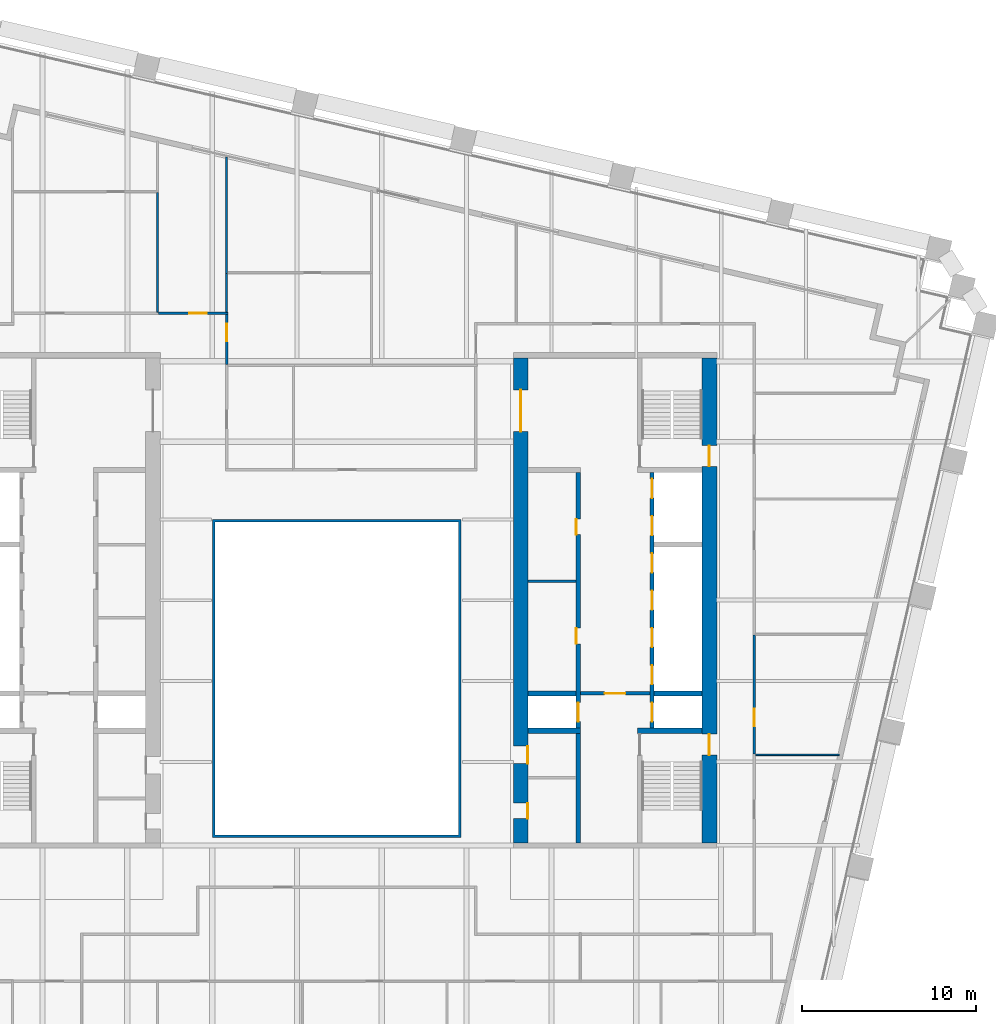
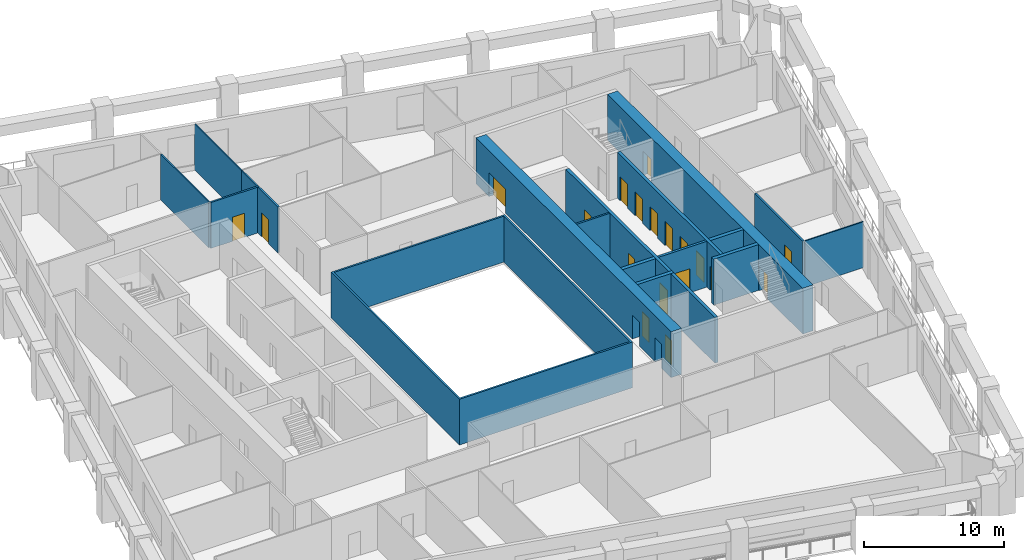
# One storey, part 6 of 10: 19 doors, 18 walls, 19 openings.
"""IFC4 building model written with IfcOpenShell, lengths in metres."""

from ifc_helpers import new_model, si_unit, direction, frame, frame_2d, origin, place, context, subcontext, project, spatial, polyline, rectangle, outline, extrude, material, layer, layer_set, type_object, element, fill, save


model = new_model("IFC4")

# Units and contexts
model_context = context("Model", 3, precision=1e-05, world=origin(), true_north=direction((0.0, 1.0)))
body_context = subcontext(model_context, "Body", "Model", "MODEL_VIEW")
ifc_project = project(units=[si_unit("LENGTHUNIT", "METRE"), si_unit("AREAUNIT", "SQUARE_METRE"), si_unit("VOLUMEUNIT", "CUBIC_METRE"), si_unit("PLANEANGLEUNIT", "RADIAN"), si_unit("MASSUNIT", "GRAM", prefix="KILO")], contexts=[model_context])

# Site, building, storey
site_placement = place(None, origin())
site = spatial("IfcSite", under=ifc_project, at=site_placement, CompositionType="ELEMENT")
building_placement = place(site_placement, origin())
building = spatial("IfcBuilding", under=site, at=building_placement, Name="Ogive Exchange Tower", CompositionType="ELEMENT")
storey_placement = place(building_placement, frame((0.0, 0.0, 114.0)))
storey = spatial("IfcBuildingStorey", under=building, at=storey_placement, Name="L24", CompositionType="ELEMENT", Elevation=114.0)

# Wall
ifc_material_1 = material(Name="Gypsum board partition")
ifc_layer_1 = layer(ifc_material_1, 0.14990234375)
ifc_layer_set_1 = layer_set([ifc_layer_1], Name="Core room partition 150 gypsum")
wall_type_1 = type_object("IfcWallType", Name="Core room partition 150 gypsum", PredefinedType="PARTITIONING", material=ifc_layer_set_1)
wall_1_placement = place(storey_placement, frame((11.0, 12.60009765625, 0.0), z_axis=(0.0, 0.0, 1.0), x_axis=(1.0, 0.0, 0.0)))
element("IfcWall", 1, at=wall_1_placement, inside=storey, type_object=wall_type_1, Name="E row B bay partition 1-1", PredefinedType="PARTITIONING", context=body_context, shape_type="SweptSolid", body=[
    extrude(rectangle(XDim=2.75, YDim=0.14990234375, at=frame_2d((1.375, 0.0))), origin(), (0.0, 0.0, 1.0), 4.0),
])

# Wall, opening, door
ifc_material_2 = material(Name="Fire partition EI 60 150")
ifc_layer_2 = layer(ifc_material_2, 0.14990234375)
ifc_layer_set_2 = layer_set([ifc_layer_2], Name="Fire partition EI 60 150")
wall_type_2 = type_object("IfcWallType", Name="Fire partition EI 60 150", PredefinedType="PARTITIONING", material=ifc_layer_set_2)
wall_2_placement = place(storey_placement, frame((-10.27001953125, 28.0, 0.0), z_axis=(0.0, 0.0, 1.0), x_axis=(1.0, 0.0, 0.0)))
wall_2 = element("IfcWall", 2, at=wall_2_placement, inside=storey, type_object=wall_type_2, Name="L24-PWL-028", PredefinedType="PARTITIONING", context=body_context, shape_type="SweptSolid", body=[
    extrude(rectangle(XDim=4.005126953125, YDim=0.14990234375, at=frame_2d((2.00244140625, 0.0))), origin(), (0.0, 0.0, 1.0), 4.0),
])
opening_1_placement = place(wall_2_placement, frame((1.780029296875, 0.0, 0.0)))
opening_1 = element("IfcOpeningElement", 3, at=opening_1_placement, cuts=wall_2, Name="Opening L24-I11", PredefinedType="OPENING", context=body_context, shape_type="SweptSolid", body=[
    extrude(rectangle(XDim=1.0, YDim=2.10009765625, at=frame_2d((0.5, 1.050048828125))), frame((0.0, 0.0849609375, 0.0), z_axis=(0.0, -1.0, 0.0), x_axis=(1.0, 0.0, 0.0)), (0.0, 0.0, 1.0), 0.169921875),
])
ifc_material_3 = material(Name="Fire door FD 30S 1000 x 2100")
door_type_1 = type_object("IfcDoorType", Name="Fire door FD 30S 1000 x 2100", OperationType="NOTDEFINED", PredefinedType="DOOR", material=ifc_material_3)
door_1_placement = place(opening_1_placement, origin())
door_1 = element("IfcDoor", 4, at=door_1_placement, inside=storey, type_object=door_type_1, Name="L24-IDR-011", ObjectType="DT3", OperationType="SINGLE_SWING_LEFT", OverallHeight=2.10009765625, OverallWidth=1.0, PredefinedType="DOOR", context=body_context, shape_type="SweptSolid", body=[
    extrude(rectangle(XDim=1.0, YDim=2.10009765625, at=frame_2d((0.5, 1.050048828125))), frame((0.0, 0.02490234375, 0.0), z_axis=(0.0, -1.0, 0.0), x_axis=(1.0, 0.0, 0.0)), (0.0, 0.0, 1.0), 0.050048828125),
])
fill(opening_1, door_1)

wall_3_placement = place(storey_placement, frame((-6.340087890625, 27.925048828125, 0.0), z_axis=(0.0, 0.0, 1.0), x_axis=(0.0, -1.0, 0.0)))
wall_3 = element("IfcWall", 5, at=wall_3_placement, inside=storey, type_object=wall_type_2, Name="L24-PWL-035", PredefinedType="PARTITIONING", context=body_context, shape_type="SweptSolid", body=[
    extrude(rectangle(XDim=2.875, YDim=0.14990234375, at=frame_2d((1.4375, 0.0))), origin(), (0.0, 0.0, 1.0), 4.0),
])
opening_2_placement = place(wall_3_placement, frame((0.52490234375, 0.0, 0.0)))
opening_2 = element("IfcOpeningElement", 6, at=opening_2_placement, cuts=wall_3, Name="Opening L24-I08", PredefinedType="OPENING", context=body_context, shape_type="SweptSolid", body=[
    extrude(rectangle(XDim=1.0, YDim=2.10009765625, at=frame_2d((0.5, 1.050048828125))), frame((0.0, 0.0849609375, 0.0), z_axis=(0.0, -1.0, 0.0), x_axis=(1.0, 0.0, 0.0)), (0.0, 0.0, 1.0), 0.169921875),
])
door_2_placement = place(opening_2_placement, origin())
door_2 = element("IfcDoor", 7, at=door_2_placement, inside=storey, type_object=door_type_1, Name="L24-IDR-008", ObjectType="DT3", OperationType="SINGLE_SWING_LEFT", OverallHeight=2.10009765625, OverallWidth=1.0, PredefinedType="DOOR", context=body_context, shape_type="SweptSolid", body=[
    extrude(rectangle(XDim=1.0, YDim=2.10009765625, at=frame_2d((0.5, 1.050048828125))), frame((0.0, 0.02490234375, 0.0), z_axis=(0.0, -1.0, 0.0), x_axis=(1.0, 0.0, 0.0)), (0.0, 0.0, 1.0), 0.050048828125),
])
fill(opening_2, door_2)

wall_4_placement = place(storey_placement, frame((24.0, 9.5, 0.0), z_axis=(0.0, 0.0, 1.0), x_axis=(0.0, -1.0, 0.0)))
wall_4 = element("IfcWall", 8, at=wall_4_placement, inside=storey, type_object=wall_type_2, Name="L24-PWL-066", PredefinedType="PARTITIONING", context=body_context, shape_type="SweptSolid", body=[
    extrude(rectangle(XDim=6.840087890625, YDim=0.14990234375, at=frame_2d((3.419921875, 0.0))), origin(), (0.0, 0.0, 1.0), 4.0),
])
opening_3_placement = place(wall_4_placement, frame((4.239990234375, 0.0, 0.0)))
opening_3 = element("IfcOpeningElement", 9, at=opening_3_placement, cuts=wall_4, Name="Opening L24-I15", PredefinedType="OPENING", context=body_context, shape_type="SweptSolid", body=[
    extrude(rectangle(XDim=1.0, YDim=2.10009765625, at=frame_2d((0.5, 1.050048828125))), frame((0.0, 0.0849609375, 0.0), z_axis=(0.0, -1.0, 0.0), x_axis=(1.0, 0.0, 0.0)), (0.0, 0.0, 1.0), 0.169921875),
])
door_3_placement = place(opening_3_placement, origin())
door_3 = element("IfcDoor", 10, at=door_3_placement, inside=storey, type_object=door_type_1, Name="L24-IDR-015", ObjectType="DT3", OperationType="SINGLE_SWING_LEFT", OverallHeight=2.10009765625, OverallWidth=1.0, PredefinedType="DOOR", context=body_context, shape_type="SweptSolid", body=[
    extrude(rectangle(XDim=1.0, YDim=2.10009765625, at=frame_2d((0.5, 1.050048828125))), frame((0.0, 0.02490234375, 0.0), z_axis=(0.0, -1.0, 0.0), x_axis=(1.0, 0.0, 0.0)), (0.0, 0.0, 1.0), 0.050048828125),
])
fill(opening_3, door_3)

# Walls
ifc_material_4 = material(Name="Fire-resisting glass in steel frame", Category="steel")
ifc_layer_3 = layer(ifc_material_4, 0.14990234375)
ifc_layer_set_3 = layer_set([ifc_layer_3], Name="Fire-rated glazed wall 150")
wall_type_3 = type_object("IfcWallType", Name="Fire-rated glazed wall 150", PredefinedType="STANDARD", material=ifc_layer_set_3)
wall_5_placement = place(storey_placement, origin())
element("IfcWall", 11, at=wall_5_placement, inside=storey, type_object=wall_type_3, Name="Nave enclosure wall", PredefinedType="STANDARD", context=body_context, shape_type="SweptSolid", body=[
    extrude(outline(polyline([(-7.14990234375, -2.14990234375), (7.14990234375, -2.14990234375), (7.14990234375, 16.14990234375), (-7.14990234375, 16.14990234375), (-7.14990234375, -2.14990234375)]), holes=[polyline([(-7.0, -2.0), (-7.0, 16.0), (7.0, 16.0), (7.0, -2.0), (-7.0, -2.0)])]), origin(), (0.0, 0.0, 1.0), 4.0),
])
ifc_material_5 = material(Name="Partition 100 gypsum")
ifc_layer_4 = layer(ifc_material_5, 0.10009765625)
ifc_layer_set_4 = layer_set([ifc_layer_4], Name="Partition 100 gypsum")
wall_type_4 = type_object("IfcWallType", Name="Partition 100 gypsum", PredefinedType="PARTITIONING", material=ifc_layer_set_4)
wall_6_placement = place(storey_placement, frame((-10.320068359375, 28.074951171875, 0.0), z_axis=(0.0, 0.0, 1.0), x_axis=(0.0, 1.0, 0.0)))
element("IfcWall", 12, at=wall_6_placement, inside=storey, type_object=wall_type_4, Name="L24-PWL-027", PredefinedType="PARTITIONING", context=body_context, shape_type="SweptSolid", body=[
    extrude(rectangle(XDim=6.875, YDim=0.10009765625, at=frame_2d((3.4375, 0.0))), origin(), (0.0, 0.0, 1.0), 4.0),
])
wall_7_placement = place(storey_placement, frame((-6.340087890625, 28.074951171875, 0.0), z_axis=(0.0, 0.0, 1.0), x_axis=(0.0, 1.0, 0.0)))
element("IfcWall", 13, at=wall_7_placement, inside=storey, type_object=wall_type_4, Name="L24-PWL-036", PredefinedType="PARTITIONING", context=body_context, shape_type="SweptSolid", body=[
    extrude(rectangle(XDim=2.215087890625, YDim=0.10009765625, at=frame_2d((1.107421875, 0.0))), origin(), (0.0, 0.0, 1.0), 4.0),
])
wall_8_placement = place(storey_placement, frame((-6.340087890625, 30.2900390625, 0.0), z_axis=(0.0, 0.0, 1.0), x_axis=(0.0, 1.0, 0.0)))
element("IfcWall", 14, at=wall_8_placement, inside=storey, type_object=wall_type_4, Name="L24-PWL-037", PredefinedType="PARTITIONING", context=body_context, shape_type="SweptSolid", body=[
    extrude(rectangle(XDim=6.697998046875, YDim=0.10009765625, at=frame_2d((3.34912109375, 0.0))), origin(), (0.0, 0.0, 1.0), 4.0),
])
wall_9_placement = place(storey_placement, frame((28.89599609375, 2.610107421875, 0.0), z_axis=(0.0, 0.0, 1.0), x_axis=(-1.0, 0.0, 0.0)))
element("IfcWall", 15, at=wall_9_placement, inside=storey, type_object=wall_type_4, Name="L24-PWL-077", PredefinedType="PARTITIONING", context=body_context, shape_type="SweptSolid", body=[
    extrude(rectangle(XDim=4.81103515625, YDim=0.10009765625, at=frame_2d((2.405517578125, 0.0))), origin(), (0.0, 0.0, 1.0), 4.0),
])

# Wall, opening, door
ifc_material_6 = material(Name="Concrete C70/85", Category="concrete")
ifc_layer_5 = layer(ifc_material_6, 0.199951171875)
ifc_layer_set_5 = layer_set([ifc_layer_5], Name="RC core wall 200 C70/85")
wall_type_5 = type_object("IfcWallType", Name="RC core wall 200 C70/85", PredefinedType="SHEAR", material=ifc_layer_set_5)
wall_10_placement = place(storey_placement, frame((14.0, 6.142822265625, 0.0), z_axis=(0.0, 0.0, 1.0), x_axis=(1.0, 0.0, 0.0)))
wall_10 = element("IfcWall", 16, at=wall_10_placement, inside=storey, type_object=wall_type_5, Name="E firefighting lobby wall", PredefinedType="SHEAR", context=body_context, shape_type="SweptSolid", body=[
    extrude(rectangle(XDim=4.0, YDim=0.199951171875, at=frame_2d((2.0, 0.0))), origin(), (0.0, 0.0, 1.0), 4.0),
])
opening_4_placement = place(wall_10_placement, frame((1.39990234375, 0.0, 0.0)))
opening_4 = element("IfcOpeningElement", 17, at=opening_4_placement, cuts=wall_10, Name="Opening L24-C30", PredefinedType="OPENING", context=body_context, shape_type="SweptSolid", body=[
    extrude(rectangle(XDim=1.199951171875, YDim=2.10009765625, at=frame_2d((0.60009765625, 1.050048828125))), frame((0.0, 0.10986328125, 0.0), z_axis=(0.0, -1.0, 0.0), x_axis=(1.0, 0.0, 0.0)), (0.0, 0.0, 1.0), 0.219970703125),
])
ifc_material_7 = material(Name="Steel fire door", Category="steel")
door_type_2 = type_object("IfcDoorType", Name="Firefighting lobby door FD60 1200 x 2100", OperationType="NOTDEFINED", PredefinedType="DOOR", material=ifc_material_7)
door_4_placement = place(opening_4_placement, frame((1.199951171875, 0.0, 0.0), z_axis=(0.0, 0.0, 1.0), x_axis=(-1.0, 0.0, 0.0)))
door_4 = element("IfcDoor", 18, at=door_4_placement, inside=storey, type_object=door_type_2, Name="Firefighting lobby door", ObjectType="CD3", OperationType="SINGLE_SWING_RIGHT", OverallHeight=2.10009765625, OverallWidth=1.199951171875, PredefinedType="DOOR", context=body_context, shape_type="SweptSolid", body=[
    extrude(rectangle(XDim=1.199951171875, YDim=2.10009765625, at=frame_2d((0.60009765625, 1.050048828125))), frame((0.0, 0.02490234375, 0.0), z_axis=(0.0, -1.0, 0.0), x_axis=(1.0, 0.0, 0.0)), (0.0, 0.0, 1.0), 0.050048828125),
])
fill(opening_4, door_4)

# Wall, openings, doors
ifc_layer_6 = layer(ifc_material_6, 0.25)
ifc_layer_set_6 = layer_set([ifc_layer_6], Name="RC core wall 250 C70/85")
wall_type_6 = type_object("IfcWallType", Name="RC core wall 250 C70/85", PredefinedType="SHEAR", material=ifc_layer_set_6)
wall_11_placement = place(storey_placement, frame((18.125, 4.14990234375, 0.0), z_axis=(0.0, 0.0, 1.0), x_axis=(0.0, 1.0, 0.0)))
wall_11 = element("IfcWall", 19, at=wall_11_placement, inside=storey, type_object=wall_type_6, Name="E row A front wall", PredefinedType="SHEAR", context=body_context, shape_type="SweptSolid", body=[
    extrude(rectangle(XDim=14.7001953125, YDim=0.25, at=frame_2d((7.35009765625, 0.0))), origin(), (0.0, 0.0, 1.0), 4.0),
])
opening_5_placement = place(wall_11_placement, frame((0.371337890625, 0.0, 0.0)))
opening_5 = element("IfcOpeningElement", 20, at=opening_5_placement, cuts=wall_11, Name="Opening L24-C20", PredefinedType="OPENING", context=body_context, shape_type="SweptSolid", body=[
    extrude(rectangle(XDim=1.10009765625, YDim=2.10009765625, at=frame_2d((0.550048828125, 1.050048828125))), frame((0.0, 0.135009765625, 0.0), z_axis=(0.0, -1.0, 0.0), x_axis=(1.0, 0.0, 0.0)), (0.0, 0.0, 1.0), 0.27001953125),
])
opening_6_placement = place(wall_11_placement, frame((2.514404296875, 0.0, 0.0)))
opening_6 = element("IfcOpeningElement", 21, at=opening_6_placement, cuts=wall_11, Name="Opening L24-C21", PredefinedType="OPENING", context=body_context, shape_type="SweptSolid", body=[
    extrude(rectangle(XDim=1.10009765625, YDim=2.10009765625, at=frame_2d((0.550048828125, 1.050048828125))), frame((0.0, 0.135009765625, 0.0), z_axis=(0.0, -1.0, 0.0), x_axis=(1.0, 0.0, 0.0)), (0.0, 0.0, 1.0), 0.27001953125),
])
opening_7_placement = place(wall_11_placement, frame((4.656982421875, 0.0, 0.0)))
opening_7 = element("IfcOpeningElement", 22, at=opening_7_placement, cuts=wall_11, Name="Opening L24-C22", PredefinedType="OPENING", context=body_context, shape_type="SweptSolid", body=[
    extrude(rectangle(XDim=1.10009765625, YDim=2.10009765625, at=frame_2d((0.550048828125, 1.050048828125))), frame((0.0, 0.135009765625, 0.0), z_axis=(0.0, -1.0, 0.0), x_axis=(1.0, 0.0, 0.0)), (0.0, 0.0, 1.0), 0.27001953125),
])
opening_8_placement = place(wall_11_placement, frame((6.800048828125, 0.0, 0.0)))
opening_8 = element("IfcOpeningElement", 23, at=opening_8_placement, cuts=wall_11, Name="Opening L24-C23", PredefinedType="OPENING", context=body_context, shape_type="SweptSolid", body=[
    extrude(rectangle(XDim=1.10009765625, YDim=2.10009765625, at=frame_2d((0.550048828125, 1.050048828125))), frame((0.0, 0.135009765625, 0.0), z_axis=(0.0, -1.0, 0.0), x_axis=(1.0, 0.0, 0.0)), (0.0, 0.0, 1.0), 0.27001953125),
])
opening_9_placement = place(wall_11_placement, frame((8.94287109375, 0.0, 0.0)))
opening_9 = element("IfcOpeningElement", 24, at=opening_9_placement, cuts=wall_11, Name="Opening L24-C24", PredefinedType="OPENING", context=body_context, shape_type="SweptSolid", body=[
    extrude(rectangle(XDim=1.10009765625, YDim=2.10009765625, at=frame_2d((0.550048828125, 1.050048828125))), frame((0.0, 0.135009765625, 0.0), z_axis=(0.0, -1.0, 0.0), x_axis=(1.0, 0.0, 0.0)), (0.0, 0.0, 1.0), 0.27001953125),
])
opening_10_placement = place(wall_11_placement, frame((11.085693359375, 0.0, 0.0)))
opening_10 = element("IfcOpeningElement", 25, at=opening_10_placement, cuts=wall_11, Name="Opening L24-C25", PredefinedType="OPENING", context=body_context, shape_type="SweptSolid", body=[
    extrude(rectangle(XDim=1.10009765625, YDim=2.10009765625, at=frame_2d((0.550048828125, 1.050048828125))), frame((0.0, 0.135009765625, 0.0), z_axis=(0.0, -1.0, 0.0), x_axis=(1.0, 0.0, 0.0)), (0.0, 0.0, 1.0), 0.27001953125),
])
opening_11_placement = place(wall_11_placement, frame((13.228515625, 0.0, 0.0)))
opening_11 = element("IfcOpeningElement", 26, at=opening_11_placement, cuts=wall_11, Name="Opening L24-C26", PredefinedType="OPENING", context=body_context, shape_type="SweptSolid", body=[
    extrude(rectangle(XDim=1.10009765625, YDim=2.10009765625, at=frame_2d((0.550048828125, 1.050048828125))), frame((0.0, 0.135009765625, 0.0), z_axis=(0.0, -1.0, 0.0), x_axis=(1.0, 0.0, 0.0)), (0.0, 0.0, 1.0), 0.27001953125),
])
ifc_material_8 = material(Name="Stainless steel", Category="steel")
door_type_3 = type_object("IfcDoorType", Name="Lift landing door FD90 1100 x 2100", OperationType="SLIDING_TO_LEFT", PredefinedType="DOOR", material=ifc_material_8)
door_5_placement = place(opening_5_placement, origin())
door_5 = element("IfcDoor", 27, at=door_5_placement, inside=storey, type_object=door_type_3, Name="Lift landing door FF2", ObjectType="LD", OperationType="SLIDING_TO_LEFT", OverallHeight=2.10009765625, OverallWidth=1.10009765625, PredefinedType="DOOR", context=body_context, shape_type="SweptSolid", body=[
    extrude(rectangle(XDim=1.10009765625, YDim=2.10009765625, at=frame_2d((0.550048828125, 1.050048828125))), frame((0.0, 0.02490234375, 0.0), z_axis=(0.0, -1.0, 0.0), x_axis=(1.0, 0.0, 0.0)), (0.0, 0.0, 1.0), 0.050048828125),
])
fill(opening_5, door_5)
door_6_placement = place(opening_6_placement, origin())
door_6 = element("IfcDoor", 28, at=door_6_placement, inside=storey, type_object=door_type_3, Name="Lift landing door E-L1", ObjectType="LD", OperationType="SLIDING_TO_LEFT", OverallHeight=2.10009765625, OverallWidth=1.10009765625, PredefinedType="DOOR", context=body_context, shape_type="SweptSolid", body=[
    extrude(rectangle(XDim=1.10009765625, YDim=2.10009765625, at=frame_2d((0.550048828125, 1.050048828125))), frame((0.0, 0.02490234375, 0.0), z_axis=(0.0, -1.0, 0.0), x_axis=(1.0, 0.0, 0.0)), (0.0, 0.0, 1.0), 0.050048828125),
])
fill(opening_6, door_6)
door_7_placement = place(opening_7_placement, origin())
door_7 = element("IfcDoor", 29, at=door_7_placement, inside=storey, type_object=door_type_3, Name="Lift landing door E-L2", ObjectType="LD", OperationType="SLIDING_TO_LEFT", OverallHeight=2.10009765625, OverallWidth=1.10009765625, PredefinedType="DOOR", context=body_context, shape_type="SweptSolid", body=[
    extrude(rectangle(XDim=1.10009765625, YDim=2.10009765625, at=frame_2d((0.550048828125, 1.050048828125))), frame((0.0, 0.02490234375, 0.0), z_axis=(0.0, -1.0, 0.0), x_axis=(1.0, 0.0, 0.0)), (0.0, 0.0, 1.0), 0.050048828125),
])
fill(opening_7, door_7)
door_8_placement = place(opening_8_placement, origin())
door_8 = element("IfcDoor", 30, at=door_8_placement, inside=storey, type_object=door_type_3, Name="Lift landing door E-L3", ObjectType="LD", OperationType="SLIDING_TO_LEFT", OverallHeight=2.10009765625, OverallWidth=1.10009765625, PredefinedType="DOOR", context=body_context, shape_type="SweptSolid", body=[
    extrude(rectangle(XDim=1.10009765625, YDim=2.10009765625, at=frame_2d((0.550048828125, 1.050048828125))), frame((0.0, 0.02490234375, 0.0), z_axis=(0.0, -1.0, 0.0), x_axis=(1.0, 0.0, 0.0)), (0.0, 0.0, 1.0), 0.050048828125),
])
fill(opening_8, door_8)
door_9_placement = place(opening_9_placement, origin())
door_9 = element("IfcDoor", 31, at=door_9_placement, inside=storey, type_object=door_type_3, Name="Lift landing door E-L4", ObjectType="LD", OperationType="SLIDING_TO_LEFT", OverallHeight=2.10009765625, OverallWidth=1.10009765625, PredefinedType="DOOR", context=body_context, shape_type="SweptSolid", body=[
    extrude(rectangle(XDim=1.10009765625, YDim=2.10009765625, at=frame_2d((0.550048828125, 1.050048828125))), frame((0.0, 0.02490234375, 0.0), z_axis=(0.0, -1.0, 0.0), x_axis=(1.0, 0.0, 0.0)), (0.0, 0.0, 1.0), 0.050048828125),
])
fill(opening_9, door_9)
door_10_placement = place(opening_10_placement, origin())
door_10 = element("IfcDoor", 32, at=door_10_placement, inside=storey, type_object=door_type_3, Name="Lift landing door E-SH1", ObjectType="LD", OperationType="SLIDING_TO_LEFT", OverallHeight=2.10009765625, OverallWidth=1.10009765625, PredefinedType="DOOR", context=body_context, shape_type="SweptSolid", body=[
    extrude(rectangle(XDim=1.10009765625, YDim=2.10009765625, at=frame_2d((0.550048828125, 1.050048828125))), frame((0.0, 0.02490234375, 0.0), z_axis=(0.0, -1.0, 0.0), x_axis=(1.0, 0.0, 0.0)), (0.0, 0.0, 1.0), 0.050048828125),
])
fill(opening_10, door_10)
door_11_placement = place(opening_11_placement, origin())
door_11 = element("IfcDoor", 33, at=door_11_placement, inside=storey, type_object=door_type_3, Name="Lift landing door E-SH2", ObjectType="LD", OperationType="SLIDING_TO_LEFT", OverallHeight=2.10009765625, OverallWidth=1.10009765625, PredefinedType="DOOR", context=body_context, shape_type="SweptSolid", body=[
    extrude(rectangle(XDim=1.10009765625, YDim=2.10009765625, at=frame_2d((0.550048828125, 1.050048828125))), frame((0.0, 0.02490234375, 0.0), z_axis=(0.0, -1.0, 0.0), x_axis=(1.0, 0.0, 0.0)), (0.0, 0.0, 1.0), 0.050048828125),
])
fill(opening_11, door_11)

wall_12_placement = place(storey_placement, frame((13.875, -2.449951171875, 0.0), z_axis=(0.0, 0.0, 1.0), x_axis=(0.0, 1.0, 0.0)))
wall_12 = element("IfcWall", 34, at=wall_12_placement, inside=storey, type_object=wall_type_6, Name="E row B front wall", PredefinedType="SHEAR", context=body_context, shape_type="SweptSolid", body=[
    extrude(rectangle(XDim=21.300048828125, YDim=0.25, at=frame_2d((10.64990234375, 0.0))), origin(), (0.0, 0.0, 1.0), 4.0),
])
opening_12_placement = place(wall_12_placement, frame((11.4462890625, 0.0, 0.0)))
opening_12 = element("IfcOpeningElement", 35, at=opening_12_placement, cuts=wall_12, Name="Opening L24-C27", PredefinedType="OPENING", context=body_context, shape_type="SweptSolid", body=[
    extrude(rectangle(XDim=0.89990234375, YDim=2.10009765625, at=frame_2d((0.449951171875, 1.050048828125))), frame((0.0, 0.135009765625, 0.0), z_axis=(0.0, -1.0, 0.0), x_axis=(1.0, 0.0, 0.0)), (0.0, 0.0, 1.0), 0.27001953125),
])
opening_13_placement = place(wall_12_placement, frame((17.72509765625, 0.0, 0.0)))
opening_13 = element("IfcOpeningElement", 36, at=opening_13_placement, cuts=wall_12, Name="Opening L24-C28", PredefinedType="OPENING", context=body_context, shape_type="SweptSolid", body=[
    extrude(rectangle(XDim=0.89990234375, YDim=2.10009765625, at=frame_2d((0.449951171875, 1.050048828125))), frame((0.0, 0.135009765625, 0.0), z_axis=(0.0, -1.0, 0.0), x_axis=(1.0, 0.0, 0.0)), (0.0, 0.0, 1.0), 0.27001953125),
])
opening_14_placement = place(wall_12_placement, frame((6.971435546875, 0.0, 0.0)))
opening_14 = element("IfcOpeningElement", 37, at=opening_14_placement, cuts=wall_12, Name="Opening L24-C29", PredefinedType="OPENING", context=body_context, shape_type="SweptSolid", body=[
    extrude(rectangle(XDim=1.10009765625, YDim=2.10009765625, at=frame_2d((0.550048828125, 1.050048828125))), frame((0.0, 0.135009765625, 0.0), z_axis=(0.0, -1.0, 0.0), x_axis=(1.0, 0.0, 0.0)), (0.0, 0.0, 1.0), 0.27001953125),
])
door_12_placement = place(opening_14_placement, origin())
door_12 = element("IfcDoor", 38, at=door_12_placement, inside=storey, type_object=door_type_3, Name="Lift landing door SV2", ObjectType="LD", OperationType="SLIDING_TO_LEFT", OverallHeight=2.10009765625, OverallWidth=1.10009765625, PredefinedType="DOOR", context=body_context, shape_type="SweptSolid", body=[
    extrude(rectangle(XDim=1.10009765625, YDim=2.10009765625, at=frame_2d((0.550048828125, 1.050048828125))), frame((0.0, 0.02490234375, 0.0), z_axis=(0.0, -1.0, 0.0), x_axis=(1.0, 0.0, 0.0)), (0.0, 0.0, 1.0), 0.050048828125),
])
fill(opening_14, door_12)
door_type_4 = type_object("IfcDoorType", Name="Riser door FD60 900 x 2100", OperationType="NOTDEFINED", PredefinedType="DOOR", material=ifc_material_7)
door_13_placement = place(opening_12_placement, origin())
door_13 = element("IfcDoor", 39, at=door_13_placement, inside=storey, type_object=door_type_4, Name="Riser door", ObjectType="CD2", OperationType="SINGLE_SWING_LEFT", OverallHeight=2.10009765625, OverallWidth=0.89990234375, PredefinedType="DOOR", context=body_context, shape_type="SweptSolid", body=[
    extrude(rectangle(XDim=0.89990234375, YDim=2.10009765625, at=frame_2d((0.449951171875, 1.050048828125))), frame((0.0, 0.125, 0.0), z_axis=(0.0, -1.0, 0.0), x_axis=(1.0, 0.0, 0.0)), (0.0, 0.0, 1.0), 0.050048828125),
])
fill(opening_12, door_13)
door_14_placement = place(opening_13_placement, origin())
door_14 = element("IfcDoor", 40, at=door_14_placement, inside=storey, type_object=door_type_4, Name="Riser door", ObjectType="CD2", OperationType="SINGLE_SWING_RIGHT", OverallHeight=2.10009765625, OverallWidth=0.89990234375, PredefinedType="DOOR", context=body_context, shape_type="SweptSolid", body=[
    extrude(rectangle(XDim=0.89990234375, YDim=2.10009765625, at=frame_2d((0.449951171875, 1.050048828125))), frame((0.0, 0.125, 0.0), z_axis=(0.0, -1.0, 0.0), x_axis=(1.0, 0.0, 0.0)), (0.0, 0.0, 1.0), 0.050048828125),
])
fill(opening_13, door_14)

# Walls
ifc_layer_7 = layer(ifc_material_6, 0.300048828125)
ifc_layer_set_7 = layer_set([ifc_layer_7], Name="RC core wall 300 C70/85")
wall_type_7 = type_object("IfcWallType", Name="RC core wall 300 C70/85", PredefinedType="SHEAR", material=ifc_layer_set_7)
wall_13_placement = place(storey_placement, frame((17.300048828125, 4.0, 0.0), z_axis=(0.0, 0.0, 1.0), x_axis=(1.0, 0.0, 0.0)))
element("IfcWall", 41, at=wall_13_placement, inside=storey, type_object=wall_type_7, Name="E stair S north wall", PredefinedType="SHEAR", context=body_context, shape_type="SweptSolid", body=[
    extrude(rectangle(XDim=3.699951171875, YDim=0.300048828125, at=frame_2d((1.85009765625, 0.0))), origin(), (0.0, 0.0, 1.0), 4.0),
])
wall_14_placement = place(storey_placement, frame((18.25, 6.142822265625, 0.0), z_axis=(0.0, 0.0, 1.0), x_axis=(1.0, 0.0, 0.0)))
element("IfcWall", 42, at=wall_14_placement, inside=storey, type_object=wall_type_7, Name="E row A divider 1", PredefinedType="SHEAR", context=body_context, shape_type="SweptSolid", body=[
    extrude(rectangle(XDim=2.75, YDim=0.300048828125, at=frame_2d((1.375, 0.0))), origin(), (0.0, 0.0, 1.0), 4.0),
])
wall_15_placement = place(storey_placement, frame((11.0, 4.0, 0.0), z_axis=(0.0, 0.0, 1.0), x_axis=(1.0, 0.0, 0.0)))
element("IfcWall", 43, at=wall_15_placement, inside=storey, type_object=wall_type_7, Name="E row B divider 0", PredefinedType="SHEAR", context=body_context, shape_type="SweptSolid", body=[
    extrude(rectangle(XDim=3.0, YDim=0.300048828125, at=frame_2d((1.5, 0.0))), origin(), (0.0, 0.0, 1.0), 4.0),
])
wall_16_placement = place(storey_placement, frame((11.0, 6.142822265625, 0.0), z_axis=(0.0, 0.0, 1.0), x_axis=(1.0, 0.0, 0.0)))
element("IfcWall", 44, at=wall_16_placement, inside=storey, type_object=wall_type_7, Name="E row B divider 1", PredefinedType="SHEAR", context=body_context, shape_type="SweptSolid", body=[
    extrude(rectangle(XDim=2.75, YDim=0.300048828125, at=frame_2d((1.375, 0.0))), origin(), (0.0, 0.0, 1.0), 4.0),
])

# Wall, openings, doors
ifc_layer_8 = layer(ifc_material_6, 0.85009765625)
ifc_layer_set_8 = layer_set([ifc_layer_8], Name="RC core wall 850 C70/85")
wall_type_8 = type_object("IfcWallType", Name="RC core wall 850 C70/85", PredefinedType="SHEAR", material=ifc_layer_set_8)
wall_17_placement = place(storey_placement, frame((21.425048828125, -2.449951171875, 0.0), z_axis=(0.0, 0.0, 1.0), x_axis=(0.0, 1.0, 0.0)))
wall_17 = element("IfcWall", 45, at=wall_17_placement, inside=storey, type_object=wall_type_8, Name="E outer wall", PredefinedType="SHEAR", context=body_context, shape_type="SweptSolid", body=[
    extrude(rectangle(XDim=27.89990234375, YDim=0.85009765625, at=frame_2d((13.949951171875, 0.0))), origin(), (0.0, 0.0, 1.0), 4.0),
])
opening_15_placement = place(wall_17_placement, frame((5.050048828125, 0.0, 0.0)))
opening_15 = element("IfcOpeningElement", 46, at=opening_15_placement, cuts=wall_17, Name="Opening L24-C33", PredefinedType="OPENING", context=body_context, shape_type="SweptSolid", body=[
    extrude(rectangle(XDim=1.199951171875, YDim=2.10009765625, at=frame_2d((0.60009765625, 1.050048828125))), frame((0.0, 0.43505859375, 0.0), z_axis=(0.0, -1.0, 0.0), x_axis=(1.0, 0.0, 0.0)), (0.0, 0.0, 1.0), 0.8701171875),
])
opening_16_placement = place(wall_17_placement, frame((21.64990234375, 0.0, 0.0)))
opening_16 = element("IfcOpeningElement", 47, at=opening_16_placement, cuts=wall_17, Name="Opening L24-C35", PredefinedType="OPENING", context=body_context, shape_type="SweptSolid", body=[
    extrude(rectangle(XDim=1.199951171875, YDim=2.10009765625, at=frame_2d((0.60009765625, 1.050048828125))), frame((0.0, 0.43505859375, 0.0), z_axis=(0.0, -1.0, 0.0), x_axis=(1.0, 0.0, 0.0)), (0.0, 0.0, 1.0), 0.8701171875),
])
door_type_5 = type_object("IfcDoorType", Name="Stair door FD90 1200 x 2100", OperationType="NOTDEFINED", PredefinedType="DOOR", material=ifc_material_7)
door_15_placement = place(opening_15_placement, origin())
door_15 = element("IfcDoor", 48, at=door_15_placement, inside=storey, type_object=door_type_5, Name="Stair door", ObjectType="CD5", OperationType="SINGLE_SWING_LEFT", OverallHeight=2.10009765625, OverallWidth=1.199951171875, PredefinedType="DOOR", context=body_context, shape_type="SweptSolid", body=[
    extrude(rectangle(XDim=1.199951171875, YDim=2.10009765625, at=frame_2d((0.60009765625, 1.050048828125))), frame((0.0, 0.02490234375, 0.0), z_axis=(0.0, -1.0, 0.0), x_axis=(1.0, 0.0, 0.0)), (0.0, 0.0, 1.0), 0.050048828125),
])
fill(opening_15, door_15)
door_16_placement = place(opening_16_placement, origin())
door_16 = element("IfcDoor", 49, at=door_16_placement, inside=storey, type_object=door_type_5, Name="Stair door", ObjectType="CD5", OperationType="SINGLE_SWING_RIGHT", OverallHeight=2.10009765625, OverallWidth=1.199951171875, PredefinedType="DOOR", context=body_context, shape_type="SweptSolid", body=[
    extrude(rectangle(XDim=1.199951171875, YDim=2.10009765625, at=frame_2d((0.60009765625, 1.050048828125))), frame((0.0, 0.02490234375, 0.0), z_axis=(0.0, -1.0, 0.0), x_axis=(1.0, 0.0, 0.0)), (0.0, 0.0, 1.0), 0.050048828125),
])
fill(opening_16, door_16)

wall_18_placement = place(storey_placement, frame((10.574951171875, -2.449951171875, 0.0), z_axis=(0.0, 0.0, 1.0), x_axis=(0.0, 1.0, 0.0)))
wall_18 = element("IfcWall", 50, at=wall_18_placement, inside=storey, type_object=wall_type_8, Name="E inner wall", PredefinedType="SHEAR", context=body_context, shape_type="SweptSolid", body=[
    extrude(rectangle(XDim=27.89990234375, YDim=0.85009765625, at=frame_2d((13.949951171875, 0.0))), origin(), (0.0, 0.0, 1.0), 4.0),
])
opening_17_placement = place(wall_18_placement, frame((23.64990234375, 0.0, 0.0)))
opening_17 = element("IfcOpeningElement", 51, at=opening_17_placement, cuts=wall_18, Name="Opening L24-C31", PredefinedType="OPENING", context=body_context, shape_type="SweptSolid", body=[
    extrude(rectangle(XDim=2.39990234375, YDim=2.10009765625, at=frame_2d((1.199951171875, 1.050048828125))), frame((0.0, 0.43505859375, 0.0), z_axis=(0.0, -1.0, 0.0), x_axis=(1.0, 0.0, 0.0)), (0.0, 0.0, 1.0), 0.8701171875),
])
opening_18_placement = place(wall_18_placement, frame((1.387451171875, 0.0, 0.0)))
opening_18 = element("IfcOpeningElement", 52, at=opening_18_placement, cuts=wall_18, Name="Opening L24-C36", PredefinedType="OPENING", context=body_context, shape_type="SweptSolid", body=[
    extrude(rectangle(XDim=0.89990234375, YDim=2.10009765625, at=frame_2d((0.449951171875, 1.050048828125))), frame((0.0, 0.43505859375, 0.0), z_axis=(0.0, -1.0, 0.0), x_axis=(1.0, 0.0, 0.0)), (0.0, 0.0, 1.0), 0.8701171875),
])
opening_19_placement = place(wall_18_placement, frame((4.5625, 0.0, 0.0)))
opening_19 = element("IfcOpeningElement", 53, at=opening_19_placement, cuts=wall_18, Name="Opening L24-C37", PredefinedType="OPENING", context=body_context, shape_type="SweptSolid", body=[
    extrude(rectangle(XDim=1.0, YDim=2.10009765625, at=frame_2d((0.5, 1.050048828125))), frame((0.0, 0.43505859375, 0.0), z_axis=(0.0, -1.0, 0.0), x_axis=(1.0, 0.0, 0.0)), (0.0, 0.0, 1.0), 0.8701171875),
])
ifc_material_9 = material(Name="Timber fire door", Category="wood")
door_type_6 = type_object("IfcDoorType", Name="Accessible WC door FD30S 1000 x 2100", OperationType="NOTDEFINED", PredefinedType="DOOR", material=ifc_material_9)
door_17_placement = place(opening_19_placement, frame((1.0, -0.7998046875, 0.0), z_axis=(0.0, 0.0, 1.0), x_axis=(-1.0, 0.0, 0.0)))
door_17 = element("IfcDoor", 54, at=door_17_placement, inside=storey, type_object=door_type_6, Name="Accessible WC door", ObjectType="CD7", OperationType="SINGLE_SWING_LEFT", OverallHeight=2.10009765625, OverallWidth=1.0, PredefinedType="DOOR", context=body_context, shape_type="SweptSolid", body=[
    extrude(rectangle(XDim=1.0, YDim=2.10009765625, at=frame_2d((0.5, 1.050048828125))), frame((0.0, -0.375, 0.0), z_axis=(0.0, -1.0, 0.0), x_axis=(1.0, 0.0, 0.0)), (0.0, 0.0, 1.0), 0.050048828125),
])
fill(opening_19, door_17)
door_type_7 = type_object("IfcDoorType", Name="Core room door FD30S 900 x 2100", OperationType="NOTDEFINED", PredefinedType="DOOR", material=ifc_material_9)
door_18_placement = place(opening_18_placement, frame((0.89990234375, -0.7998046875, 0.0), z_axis=(0.0, 0.0, 1.0), x_axis=(-1.0, 0.0, 0.0)))
door_18 = element("IfcDoor", 55, at=door_18_placement, inside=storey, type_object=door_type_7, Name="Core room door", ObjectType="CD6", OperationType="SINGLE_SWING_LEFT", OverallHeight=2.10009765625, OverallWidth=0.89990234375, PredefinedType="DOOR", context=body_context, shape_type="SweptSolid", body=[
    extrude(rectangle(XDim=0.89990234375, YDim=2.10009765625, at=frame_2d((0.449951171875, 1.050048828125))), frame((0.0, -0.375, 0.0), z_axis=(0.0, -1.0, 0.0), x_axis=(1.0, 0.0, 0.0)), (0.0, 0.0, 1.0), 0.050048828125),
])
fill(opening_18, door_18)
ifc_material_10 = material(Name="Glazed steel fire door", Category="steel")
door_type_8 = type_object("IfcDoorType", Name="Lift lobby double door FD60 2400 x 2100", OperationType="DOUBLE_DOOR_SINGLE_SWING", PredefinedType="DOOR", material=ifc_material_10)
door_19_placement = place(opening_17_placement, frame((2.39990234375, 0.0, 0.0), z_axis=(0.0, 0.0, 1.0), x_axis=(-1.0, 0.0, 0.0)))
door_19 = element("IfcDoor", 56, at=door_19_placement, inside=storey, type_object=door_type_8, Name="Lift lobby double door", ObjectType="CD4", OperationType="DOUBLE_DOOR_SINGLE_SWING", OverallHeight=2.10009765625, OverallWidth=2.39990234375, PredefinedType="DOOR", context=body_context, shape_type="SweptSolid", body=[
    extrude(rectangle(XDim=2.39990234375, YDim=2.10009765625, at=frame_2d((1.199951171875, 1.050048828125))), frame((0.0, 0.02490234375, 0.0), z_axis=(0.0, -1.0, 0.0), x_axis=(1.0, 0.0, 0.0)), (0.0, 0.0, 1.0), 0.050048828125),
])
fill(opening_17, door_19)

save(model, "model.ifc")
